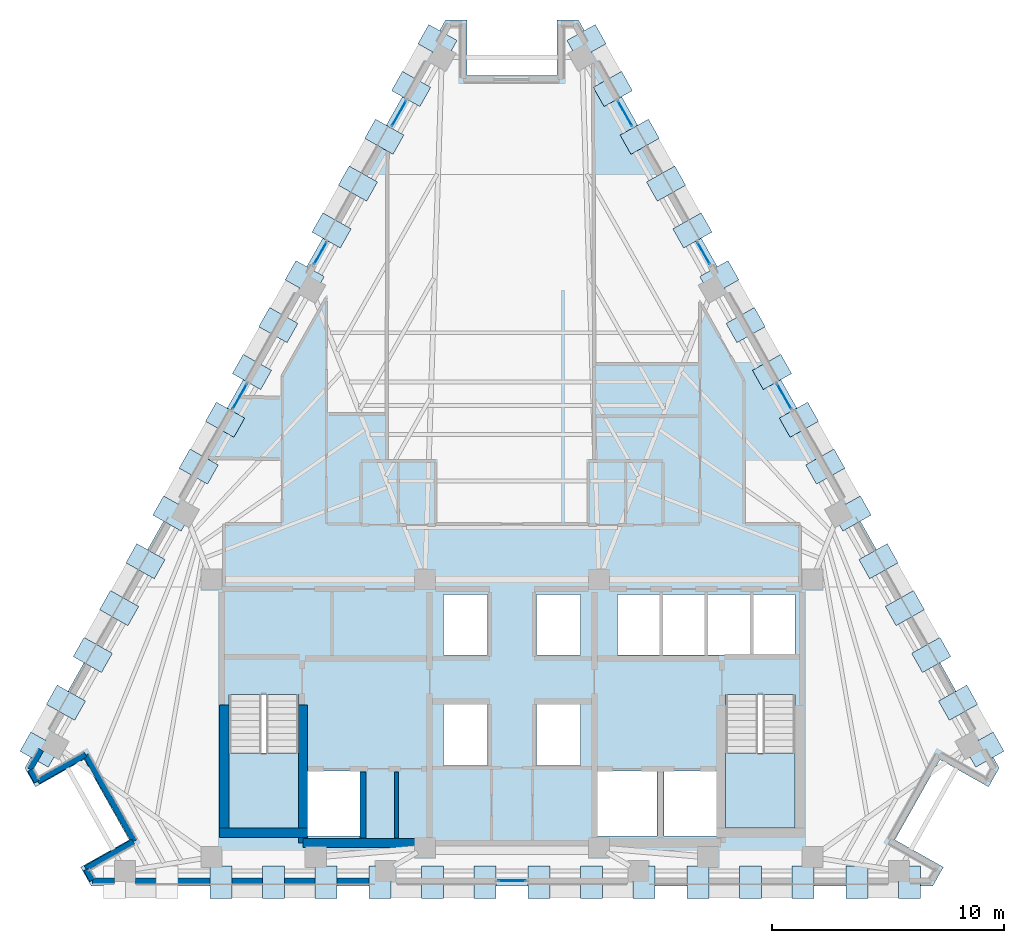
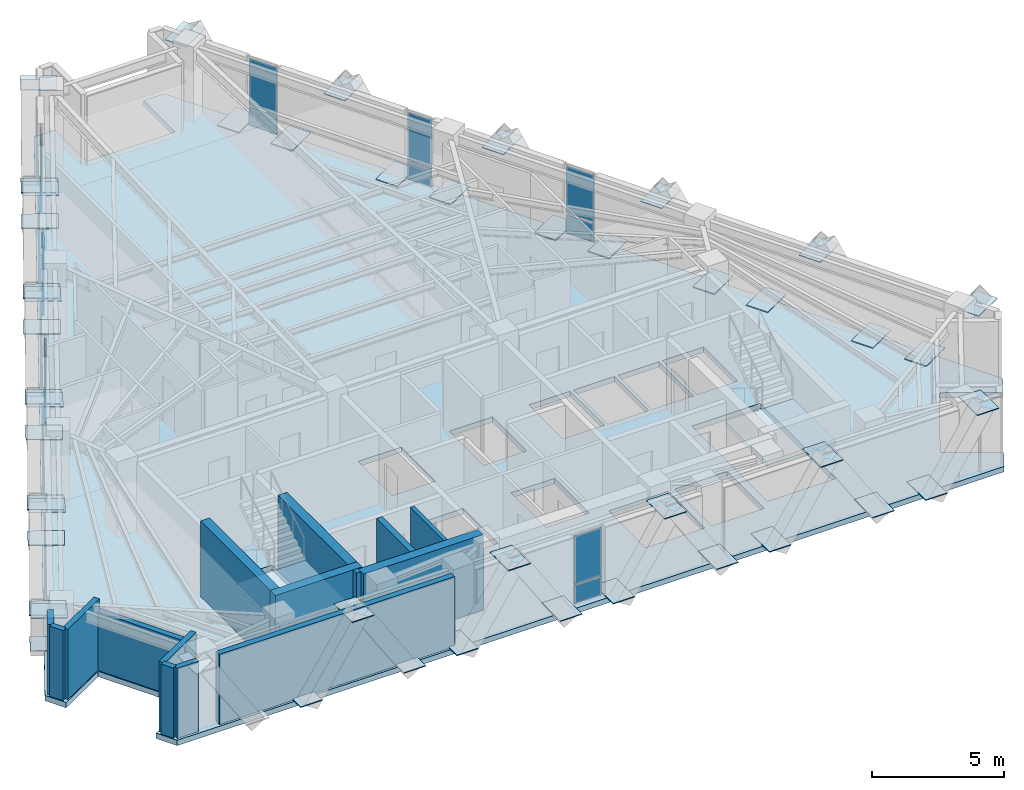
# One storey, part 6 of 12: 60 plates, 14 walls, 3 slabs, 9 elements without a shape of their own.
"""IFC4 building model written with IfcOpenShell, lengths in metres."""

from ifc_helpers import new_model, si_unit, direction, frame, frame_2d, origin, origin_2d, place, context, subcontext, project, spatial, polyline, rectangle, outline, extrude, material, layer, layer_set, type_object, element, aggregate, save


model = new_model("IFC4")

# Units and contexts
model_context = context("Model", 3, precision=1e-05, world=origin(), true_north=direction((0.0, 1.0)))
body_context = subcontext(model_context, "Body", "Model", "MODEL_VIEW")
ifc_project = project(units=[si_unit("LENGTHUNIT", "METRE"), si_unit("AREAUNIT", "SQUARE_METRE"), si_unit("VOLUMEUNIT", "CUBIC_METRE"), si_unit("PLANEANGLEUNIT", "RADIAN"), si_unit("MASSUNIT", "GRAM", prefix="KILO")], contexts=[model_context])

# Site, building, storey
site_placement = place(None, origin())
site = spatial("IfcSite", under=ifc_project, at=site_placement, CompositionType="ELEMENT")
building_placement = place(site_placement, origin())
building = spatial("IfcBuilding", under=site, at=building_placement, Name="Quenlor Broadcast Tower", CompositionType="ELEMENT")
storey_placement = place(building_placement, frame((0.0, 0.0, 186.89990234375)))
storey = spatial("IfcBuildingStorey", under=building, at=storey_placement, Name="L51", CompositionType="ELEMENT", Elevation=186.89990234375)

# Curtain wall, plates
ifc_material_1 = material(Name="Architectural Terracotta and Low-E Glazing", Category="masonry")
curtain_wall_type = type_object("IfcCurtainWallType", Name="Unitised Terracotta Curtain Wall System Z4", PredefinedType="NOTDEFINED", material=ifc_material_1)
curtain_wall_1_placement = place(storey_placement, origin())
curtain_wall_1 = element("IfcCurtainWall", 1, at=curtain_wall_1_placement, inside=storey, type_object=curtain_wall_type, Name="L51 Curtain Wall CW4 (L51-S-G1)", PredefinedType="NOTDEFINED")
ifc_material_2 = material(Name="Double Glazed Low-E Solar Glass", Category="glass")
ifc_layer_1 = layer(ifc_material_2, 0.028076171875)
ifc_layer_set_1 = layer_set([ifc_layer_1], Name="CW4 Double Glazed Vision Panel 28")
plate_type_1 = type_object("IfcPlateType", Name="CW4 Double Glazed Vision Panel 28", PredefinedType="CURTAIN_PANEL", material=ifc_layer_set_1)
plate_1_placement = place(storey_placement, frame((0.0, -17.77490234375, 0.068359375), z_axis=(0.0, 0.0, 1.0), x_axis=(-1.0, 0.0, 0.0)))
plate_1 = element("IfcPlate", 2, at=plate_1_placement, type_object=plate_type_1, Name="CW4 panel 1.1", PredefinedType="CURTAIN_PANEL", context=body_context, shape_type="SweptSolid", body=[
    extrude(rectangle(XDim=1.188720703125, YDim=0.028076171875, at=origin_2d()), origin(), (0.0, 0.0, 1.0), 0.847900390625),
])
plate_2_placement = place(storey_placement, frame((0.0, -17.77490234375, 0.98388671875), z_axis=(0.0, 0.0, 1.0), x_axis=(-1.0, 0.0, 0.0)))
plate_2 = element("IfcPlate", 3, at=plate_2_placement, type_object=plate_type_1, Name="CW4 panel 1.2", PredefinedType="CURTAIN_PANEL", context=body_context, shape_type="SweptSolid", body=[
    extrude(rectangle(XDim=1.188720703125, YDim=0.028076171875, at=origin_2d()), origin(), (0.0, 0.0, 1.0), 2.197998046875),
])
aggregate(curtain_wall_1, [plate_1, plate_2])

curtain_wall_2_placement = place(storey_placement, origin())
curtain_wall_2 = element("IfcCurtainWall", 4, at=curtain_wall_2_placement, inside=storey, type_object=curtain_wall_type, Name="L51 Curtain Wall CW4 (L51-NEA-G1)", PredefinedType="NOTDEFINED")
plate_3_placement = place(storey_placement, frame((4.87060546875, 15.281982421875, 0.068359375), z_axis=(0.0, 0.0, 1.0), x_axis=(0.490288844266, -0.871560008943, 0.0)))
plate_3 = element("IfcPlate", 5, at=plate_3_placement, type_object=plate_type_1, Name="CW4 panel 1.1", PredefinedType="CURTAIN_PANEL", context=body_context, shape_type="SweptSolid", body=[
    extrude(rectangle(XDim=1.239990234375, YDim=0.028076171875, at=origin_2d()), origin(), (0.0, 0.0, 1.0), 0.847900390625),
])
plate_4_placement = place(storey_placement, frame((4.87060546875, 15.281982421875, 0.98388671875), z_axis=(0.0, 0.0, 1.0), x_axis=(0.490288844266, -0.871560008943, 0.0)))
plate_4 = element("IfcPlate", 6, at=plate_4_placement, type_object=plate_type_1, Name="CW4 panel 1.2", PredefinedType="CURTAIN_PANEL", context=body_context, shape_type="SweptSolid", body=[
    extrude(rectangle(XDim=1.239990234375, YDim=0.028076171875, at=origin_2d()), origin(), (0.0, 0.0, 1.0), 2.197998046875),
])
aggregate(curtain_wall_2, [plate_3, plate_4])

curtain_wall_3_placement = place(storey_placement, origin())
curtain_wall_3 = element("IfcCurtainWall", 7, at=curtain_wall_3_placement, inside=storey, type_object=curtain_wall_type, Name="L51 Curtain Wall CW4 (L51-NEA-G2)", PredefinedType="NOTDEFINED")
plate_5_placement = place(storey_placement, frame((8.257080078125, 9.26171875, 0.068359375), z_axis=(0.0, 0.0, 1.0), x_axis=(0.490292850918, -0.871557755022, 0.0)))
plate_5 = element("IfcPlate", 8, at=plate_5_placement, type_object=plate_type_1, Name="CW4 panel 1.1", PredefinedType="CURTAIN_PANEL", context=body_context, shape_type="SweptSolid", body=[
    extrude(rectangle(XDim=1.0654296875, YDim=0.028076171875, at=origin_2d()), origin(), (0.0, 0.0, 1.0), 0.847900390625),
])
plate_6_placement = place(storey_placement, frame((8.257080078125, 9.26171875, 0.98388671875), z_axis=(0.0, 0.0, 1.0), x_axis=(0.490292850918, -0.871557755022, 0.0)))
plate_6 = element("IfcPlate", 9, at=plate_6_placement, type_object=plate_type_1, Name="CW4 panel 1.2", PredefinedType="CURTAIN_PANEL", context=body_context, shape_type="SweptSolid", body=[
    extrude(rectangle(XDim=1.0654296875, YDim=0.028076171875, at=origin_2d()), origin(), (0.0, 0.0, 1.0), 2.197998046875),
])
aggregate(curtain_wall_3, [plate_5, plate_6])

curtain_wall_4_placement = place(storey_placement, origin())
curtain_wall_4 = element("IfcCurtainWall", 10, at=curtain_wall_4_placement, inside=storey, type_object=curtain_wall_type, Name="L51 Curtain Wall CW4 (L51-NE-G1)", PredefinedType="NOTDEFINED")
plate_7_placement = place(storey_placement, frame((11.72900390625, 3.089599609375, 0.068359375), z_axis=(0.0, 0.0, 1.0), x_axis=(0.490288844266, -0.871560008943, 0.0)))
plate_7 = element("IfcPlate", 11, at=plate_7_placement, type_object=plate_type_1, Name="CW4 panel 1.1", PredefinedType="CURTAIN_PANEL", context=body_context, shape_type="SweptSolid", body=[
    extrude(rectangle(XDim=1.239990234375, YDim=0.028076171875, at=origin_2d()), origin(), (0.0, 0.0, 1.0), 0.847900390625),
])
plate_8_placement = place(storey_placement, frame((11.72900390625, 3.089599609375, 0.98388671875), z_axis=(0.0, 0.0, 1.0), x_axis=(0.490288844266, -0.871560008943, 0.0)))
plate_8 = element("IfcPlate", 12, at=plate_8_placement, type_object=plate_type_1, Name="CW4 panel 1.2", PredefinedType="CURTAIN_PANEL", context=body_context, shape_type="SweptSolid", body=[
    extrude(rectangle(XDim=1.239990234375, YDim=0.028076171875, at=origin_2d()), origin(), (0.0, 0.0, 1.0), 2.197998046875),
])
aggregate(curtain_wall_4, [plate_7, plate_8])

curtain_wall_5_placement = place(storey_placement, origin())
curtain_wall_5 = element("IfcCurtainWall", 13, at=curtain_wall_5_placement, inside=storey, type_object=curtain_wall_type, Name="L51 Curtain Wall CW4 (L51-NWC-G1)", PredefinedType="NOTDEFINED")
plate_9_placement = place(storey_placement, frame((-8.257080078125, 9.26171875, 0.068359375), z_axis=(0.0, 0.0, 1.0), x_axis=(0.490292850918, 0.871557755022, 0.0)))
plate_9 = element("IfcPlate", 14, at=plate_9_placement, type_object=plate_type_1, Name="CW4 panel 1.1", PredefinedType="CURTAIN_PANEL", context=body_context, shape_type="SweptSolid", body=[
    extrude(rectangle(XDim=1.0654296875, YDim=0.028076171875, at=origin_2d()), origin(), (0.0, 0.0, 1.0), 0.847900390625),
])
plate_10_placement = place(storey_placement, frame((-8.257080078125, 9.26171875, 0.98388671875), z_axis=(0.0, 0.0, 1.0), x_axis=(0.490292850918, 0.871557755022, 0.0)))
plate_10 = element("IfcPlate", 15, at=plate_10_placement, type_object=plate_type_1, Name="CW4 panel 1.2", PredefinedType="CURTAIN_PANEL", context=body_context, shape_type="SweptSolid", body=[
    extrude(rectangle(XDim=1.0654296875, YDim=0.028076171875, at=origin_2d()), origin(), (0.0, 0.0, 1.0), 2.197998046875),
])
aggregate(curtain_wall_5, [plate_9, plate_10])

curtain_wall_6_placement = place(storey_placement, origin())
curtain_wall_6 = element("IfcCurtainWall", 16, at=curtain_wall_6_placement, inside=storey, type_object=curtain_wall_type, Name="L51 Curtain Wall CW4 (L51-NWC-G2)", PredefinedType="NOTDEFINED")
plate_11_placement = place(storey_placement, frame((-4.87060546875, 15.281982421875, 0.068359375), z_axis=(0.0, 0.0, 1.0), x_axis=(0.490288844266, 0.871560008943, 0.0)))
plate_11 = element("IfcPlate", 17, at=plate_11_placement, type_object=plate_type_1, Name="CW4 panel 1.1", PredefinedType="CURTAIN_PANEL", context=body_context, shape_type="SweptSolid", body=[
    extrude(rectangle(XDim=1.239990234375, YDim=0.028076171875, at=origin_2d()), origin(), (0.0, 0.0, 1.0), 0.847900390625),
])
plate_12_placement = place(storey_placement, frame((-4.87060546875, 15.281982421875, 0.98388671875), z_axis=(0.0, 0.0, 1.0), x_axis=(0.490288844266, 0.871560008943, 0.0)))
plate_12 = element("IfcPlate", 18, at=plate_12_placement, type_object=plate_type_1, Name="CW4 panel 1.2", PredefinedType="CURTAIN_PANEL", context=body_context, shape_type="SweptSolid", body=[
    extrude(rectangle(XDim=1.239990234375, YDim=0.028076171875, at=origin_2d()), origin(), (0.0, 0.0, 1.0), 2.197998046875),
])
aggregate(curtain_wall_6, [plate_11, plate_12])

curtain_wall_7_placement = place(storey_placement, origin())
curtain_wall_7 = element("IfcCurtainWall", 19, at=curtain_wall_7_placement, inside=storey, type_object=curtain_wall_type, Name="L51 Curtain Wall CW4 (L51-NW-G1)", PredefinedType="NOTDEFINED")
plate_13_placement = place(storey_placement, frame((-11.72900390625, 3.089599609375, 0.068359375), z_axis=(0.0, 0.0, 1.0), x_axis=(0.490288844266, 0.871560008943, 0.0)))
plate_13 = element("IfcPlate", 20, at=plate_13_placement, type_object=plate_type_1, Name="CW4 panel 1.1", PredefinedType="CURTAIN_PANEL", context=body_context, shape_type="SweptSolid", body=[
    extrude(rectangle(XDim=1.239990234375, YDim=0.028076171875, at=origin_2d()), origin(), (0.0, 0.0, 1.0), 0.847900390625),
])
plate_14_placement = place(storey_placement, frame((-11.72900390625, 3.089599609375, 0.98388671875), z_axis=(0.0, 0.0, 1.0), x_axis=(0.490288844266, 0.871560008943, 0.0)))
plate_14 = element("IfcPlate", 21, at=plate_14_placement, type_object=plate_type_1, Name="CW4 panel 1.2", PredefinedType="CURTAIN_PANEL", context=body_context, shape_type="SweptSolid", body=[
    extrude(rectangle(XDim=1.239990234375, YDim=0.028076171875, at=origin_2d()), origin(), (0.0, 0.0, 1.0), 2.197998046875),
])
aggregate(curtain_wall_7, [plate_13, plate_14])

# Stair, slab
ifc_material_3 = material(Name="Precast concrete C40/50", Category="concrete")
stair_type = type_object("IfcStairType", Name="Precast Concrete C40/50 Dogleg Stair H350", PredefinedType="HALF_TURN_STAIR", material=ifc_material_3)
stair_1_placement = place(storey_placement, origin())
stair_1 = element("IfcStair", 22, at=stair_1_placement, inside=storey, type_object=stair_type, Name="L51 West Core Fire-Isolated Exit Stair ST-1", PredefinedType="HALF_TURN_STAIR")
ifc_material_4 = material(Name="Precast concrete C40/50", Category="concrete")
ifc_layer_2 = layer(ifc_material_4, 0.199951171875)
ifc_layer_set_2 = layer_set([ifc_layer_2], Name="Precast Concrete C40/50 Stair Landing Slab 200")
slab_type_1 = type_object("IfcSlabType", Name="Precast Concrete C40/50 Stair Landing Slab 200", PredefinedType="LANDING", material=ifc_layer_set_2)
slab_1_placement = place(storey_placement, frame((0.0, 0.0, 1.550048828125)))
slab_1 = element("IfcSlab", 23, at=slab_1_placement, type_object=slab_type_1, Name="ST-1 landing 1", PredefinedType="LANDING", context=body_context, shape_type="SweptSolid", body=[
    extrude(outline(polyline([(-12.199951171875, -12.27001953125), (-12.199951171875, -15.5), (-9.199951171875, -15.5), (-9.199951171875, -12.27001953125), (-12.199951171875, -12.27001953125)])), origin(), (0.0, 0.0, 1.0), 0.199951171875),
])
aggregate(stair_1, [slab_1])

stair_2_placement = place(storey_placement, origin())
stair_2 = element("IfcStair", 24, at=stair_2_placement, inside=storey, type_object=stair_type, Name="L51 East Core Fire-Isolated Exit Stair ST-2", PredefinedType="HALF_TURN_STAIR")
slab_2_placement = place(storey_placement, frame((0.0, 0.0, 1.550048828125)))
slab_2 = element("IfcSlab", 25, at=slab_2_placement, type_object=slab_type_1, Name="ST-2 landing 1", PredefinedType="LANDING", context=body_context, shape_type="SweptSolid", body=[
    extrude(outline(polyline([(9.199951171875, -12.27001953125), (9.199951171875, -15.5), (12.199951171875, -15.5), (12.199951171875, -12.27001953125), (9.199951171875, -12.27001953125)])), origin(), (0.0, 0.0, 1.0), 0.199951171875),
])
aggregate(stair_2, [slab_2])

# Slab
ifc_material_5 = material(Name="Concrete C40/50", Category="concrete")
ifc_layer_3 = layer(ifc_material_5, 0.25)
ifc_layer_set_3 = layer_set([ifc_layer_3], Name="Tower Composite Concrete C40/50 Slab 250")
slab_type_2 = type_object("IfcSlabType", Name="Tower Composite Concrete C40/50 Slab 250", PredefinedType="FLOOR", material=ifc_layer_set_3)
slab_3_placement = place(storey_placement, frame((0.0, 0.0, -0.25)))
element("IfcSlab", 26, at=slab_3_placement, inside=storey, type_object=slab_type_2, Name="L51 Structural Floor Slab", PredefinedType="FLOOR", context=body_context, shape_type="SweptSolid", body=[
    extrude(outline(polyline([(18.1259765625, -18.0), (18.583984375, -17.185791015625), (16.4921875, -16.00927734375), (18.438232421875, -12.549560546875), (20.530029296875, -13.72607421875), (20.988037109375, -12.912109375), (2.862060546875, 19.31201171875), (1.9462890625, 19.31201171875), (1.9462890625, 16.912109375), (-1.9462890625, 16.912109375), (-1.9462890625, 19.31201171875), (-2.862060546875, 19.31201171875), (-20.988037109375, -12.912109375), (-20.530029296875, -13.72607421875), (-18.438232421875, -12.549560546875), (-16.4921875, -16.00927734375), (-18.583984375, -17.185791015625), (-18.1259765625, -18.0), (18.1259765625, -18.0)]), holes=[polyline([(-12.199951171875, -9.758056640625), (-12.199951171875, -15.5), (-9.199951171875, -15.5), (-9.199951171875, -9.758056640625), (-12.199951171875, -9.758056640625)]), polyline([(9.199951171875, -9.758056640625), (9.199951171875, -15.5), (12.199951171875, -15.5), (12.199951171875, -9.758056640625), (9.199951171875, -9.758056640625)]), polyline([(-2.949951171875, -8.050048828125), (-1.050048828125, -8.050048828125), (-1.050048828125, -5.449951171875), (-2.949951171875, -5.449951171875), (-2.949951171875, -8.050048828125)]), polyline([(1.050048828125, -8.050048828125), (2.949951171875, -8.050048828125), (2.949951171875, -5.449951171875), (1.050048828125, -5.449951171875), (1.050048828125, -8.050048828125)]), polyline([(-2.949951171875, -12.800048828125), (-1.050048828125, -12.800048828125), (-1.050048828125, -10.14990234375), (-2.949951171875, -10.14990234375), (-2.949951171875, -12.800048828125)]), polyline([(1.050048828125, -12.800048828125), (2.949951171875, -12.800048828125), (2.949951171875, -10.14990234375), (1.050048828125, -10.14990234375), (1.050048828125, -12.800048828125)]), polyline([(4.550048828125, -8.050048828125), (6.35009765625, -8.050048828125), (6.35009765625, -5.449951171875), (4.550048828125, -5.449951171875), (4.550048828125, -8.050048828125)]), polyline([(6.5, -8.050048828125), (8.300048828125, -8.050048828125), (8.300048828125, -5.449951171875), (6.5, -5.449951171875), (6.5, -8.050048828125)]), polyline([(8.449951171875, -8.050048828125), (10.25, -8.050048828125), (10.25, -5.449951171875), (8.449951171875, -5.449951171875), (8.449951171875, -8.050048828125)]), polyline([(10.39990234375, -8.050048828125), (12.199951171875, -8.050048828125), (12.199951171875, -5.449951171875), (10.39990234375, -5.449951171875), (10.39990234375, -8.050048828125)]), polyline([(-8.85009765625, -15.85009765625), (-6.550048828125, -15.85009765625), (-6.550048828125, -13.050048828125), (-8.85009765625, -13.050048828125), (-8.85009765625, -15.85009765625)]), polyline([(6.550048828125, -15.85009765625), (8.85009765625, -15.85009765625), (8.85009765625, -13.050048828125), (6.550048828125, -13.050048828125), (6.550048828125, -15.85009765625)]), polyline([(3.64990234375, -15.85009765625), (6.25, -15.85009765625), (6.25, -13.050048828125), (3.64990234375, -13.050048828125), (3.64990234375, -15.85009765625)])]), origin(), (0.0, 0.0, 1.0), 0.25),
])

# Plates
ifc_material_6 = material(Name="Steel S355", Category="steel")
ifc_layer_4 = layer(ifc_material_6, 0.035888671875)
ifc_layer_set_4 = layer_set([ifc_layer_4], Name="Transfer Truss Steel S355 Gusset Node Plate 1400x950x36")
plate_type_2 = type_object("IfcPlateType", Name="Transfer Truss Steel S355 Gusset Node Plate 1400x950x36", PredefinedType="SHEET", material=ifc_layer_set_4)
for number, where, z_axis, x_axis, name in (
    (27, (12.54541015625, -17.8349609375, 0.0419921875), (0.0, 0.0, 1.0), (0.0, -1.0, 0.0), "L51 Lattice Tie Gusset Node S-B2"),
    (28, (10.275634765625, -17.8349609375, 3.18212890625), (0.0, 0.0, 1.0), (0.0, -1.0, 0.0), "L51 Lattice Tie Gusset Node S-T3"),
    (29, (14.856201171875, -17.8349609375, 0.0419921875), (0.0, 0.0, 1.0), (0.0, -1.0, 0.0), "L51 Lattice Tie Gusset Node S-B1"),
    (30, (17.1259765625, -17.8349609375, 3.18212890625), (0.0, 0.0, 1.0), (0.0, -1.0, 0.0), "L51 Lattice Tie Gusset Node S-T0"),
    (31, (5.695068359375, -17.8349609375, 0.0419921875), (0.0, 0.0, 1.0), (0.0, -1.0, 0.0), "L51 Lattice Tie Gusset Node S-B5"),
    (32, (3.42529296875, -17.8349609375, 3.18212890625), (0.0, 0.0, 1.0), (0.0, -1.0, 0.0), "L51 Lattice Tie Gusset Node S-T6"),
    (33, (8.005859375, -17.8349609375, 0.0419921875), (0.0, 0.0, 1.0), (0.0, -1.0, 0.0), "L51 Lattice Tie Gusset Node S-B4"),
    (34, (-1.155517578125, -17.8349609375, 0.0419921875), (0.0, 0.0, 1.0), (0.0, -1.0, 0.0), "L51 Lattice Tie Gusset Node S-B8"),
    (35, (-3.42529296875, -17.8349609375, 3.18212890625), (0.0, 0.0, 1.0), (0.0, -1.0, 0.0), "L51 Lattice Tie Gusset Node S-T9"),
    (36, (1.155517578125, -17.8349609375, 0.0419921875), (0.0, 0.0, 1.0), (0.0, -1.0, 0.0), "L51 Lattice Tie Gusset Node S-B7"),
    (37, (-8.005859375, -17.8349609375, 0.0419921875), (0.0, 0.0, 1.0), (0.0, -1.0, 0.0), "L51 Lattice Tie Gusset Node S-B11"),
    (38, (-10.275634765625, -17.8349609375, 3.18212890625), (0.0, 0.0, 1.0), (0.0, -1.0, 0.0), "L51 Lattice Tie Gusset Node S-T12"),
    (39, (-5.695068359375, -17.8349609375, 0.0419921875), (0.0, 0.0, 1.0), (0.0, -1.0, 0.0), "L51 Lattice Tie Gusset Node S-B10"),
    (40, (-12.54541015625, -17.8349609375, 0.0419921875), (0.0, 0.0, 1.0), (0.0, -1.0, 0.0), "L51 Lattice Tie Gusset Node S-B13"),
    (41, (5.50146484375, 14.283203125, 0.0419921875), (0.0, 0.0, 1.0), (0.871556314255, 0.490295412055, 0.0), "L51 Lattice Tie Gusset Node NE-B2"),
    (42, (6.6376953125, 12.263427734375, 3.18212890625), (0.0, 0.0, 1.0), (0.871556314255, 0.490295412055, 0.0), "L51 Lattice Tie Gusset Node NE-T3"),
    (43, (4.344482421875, 16.339599609375, 0.0419921875), (0.0, 0.0, 1.0), (0.871556314255, 0.490295412055, 0.0), "L51 Lattice Tie Gusset Node NE-B1"),
    (44, (3.20849609375, 18.359619140625, 3.18212890625), (0.0, 0.0, 1.0), (0.871556314255, 0.490295412055, 0.0), "L51 Lattice Tie Gusset Node NE-T0"),
    (45, (8.930419921875, 8.18701171875, 0.0419921875), (0.0, 0.0, 1.0), (0.871556314255, 0.490295412055, 0.0), "L51 Lattice Tie Gusset Node NE-B5"),
    (46, (10.066650390625, 6.167236328125, 3.18212890625), (0.0, 0.0, 1.0), (0.871556314255, 0.490295412055, 0.0), "L51 Lattice Tie Gusset Node NE-T6"),
    (47, (7.773681640625, 10.243408203125, 0.0419921875), (0.0, 0.0, 1.0), (0.871556314255, 0.490295412055, 0.0), "L51 Lattice Tie Gusset Node NE-B4"),
    (48, (12.359619140625, 2.0908203125, 0.0419921875), (0.0, 0.0, 1.0), (0.871556314255, 0.490295412055, 0.0), "L51 Lattice Tie Gusset Node NE-B8"),
    (49, (13.49560546875, 0.071044921875, 3.18212890625), (0.0, 0.0, 1.0), (0.871556314255, 0.490295412055, 0.0), "L51 Lattice Tie Gusset Node NE-T9"),
    (50, (11.202880859375, 4.147216796875, 0.0419921875), (0.0, 0.0, 1.0), (0.871556314255, 0.490295412055, 0.0), "L51 Lattice Tie Gusset Node NE-B7"),
    (51, (15.788818359375, -4.00537109375, 0.0419921875), (0.0, 0.0, 1.0), (0.871556314255, 0.490295412055, 0.0), "L51 Lattice Tie Gusset Node NE-B11"),
    (52, (16.9248046875, -6.025146484375, 3.18212890625), (0.0, 0.0, 1.0), (0.871556314255, 0.490295412055, 0.0), "L51 Lattice Tie Gusset Node NE-T12"),
    (53, (14.6318359375, -1.94873046875, 0.0419921875), (0.0, 0.0, 1.0), (0.871556314255, 0.490295412055, 0.0), "L51 Lattice Tie Gusset Node NE-B10"),
    (54, (19.2177734375, -10.101318359375, 0.0419921875), (0.0, 0.0, 1.0), (0.871556314255, 0.490295412055, 0.0), "L51 Lattice Tie Gusset Node NE-B14"),
    (55, (20.35400390625, -12.121337890625, 3.18212890625), (0.0, 0.0, 1.0), (0.871556314255, 0.490295412055, 0.0), "L51 Lattice Tie Gusset Node NE-T15"),
    (56, (18.06103515625, -8.044921875, 0.0419921875), (0.0, 0.0, 1.0), (0.871556314255, 0.490295412055, 0.0), "L51 Lattice Tie Gusset Node NE-B13"),
    (57, (-18.06103515625, -8.044921875, 0.0419921875), (0.0, 0.0, 1.0), (-0.871556314255, 0.490295412055, 0.0), "L51 Lattice Tie Gusset Node NW-B2"),
    (58, (-16.9248046875, -6.025146484375, 3.18212890625), (0.0, 0.0, 1.0), (-0.871556314255, 0.490295412055, 0.0), "L51 Lattice Tie Gusset Node NW-T3"),
    (59, (-19.2177734375, -10.101318359375, 0.0419921875), (0.0, 0.0, 1.0), (-0.871556314255, 0.490295412055, 0.0), "L51 Lattice Tie Gusset Node NW-B1"),
    (60, (-20.35400390625, -12.121337890625, 3.18212890625), (0.0, 0.0, 1.0), (-0.871556314255, 0.490295412055, 0.0), "L51 Lattice Tie Gusset Node NW-T0"),
    (61, (-14.6318359375, -1.94873046875, 0.0419921875), (0.0, 0.0, 1.0), (-0.871556314255, 0.490295412055, 0.0), "L51 Lattice Tie Gusset Node NW-B5"),
    (62, (-13.49560546875, 0.071044921875, 3.18212890625), (0.0, 0.0, 1.0), (-0.871556314255, 0.490295412055, 0.0), "L51 Lattice Tie Gusset Node NW-T6"),
    (63, (-15.788818359375, -4.00537109375, 0.0419921875), (0.0, 0.0, 1.0), (-0.871556314255, 0.490295412055, 0.0), "L51 Lattice Tie Gusset Node NW-B4"),
    (64, (-11.202880859375, 4.147216796875, 0.0419921875), (0.0, 0.0, 1.0), (-0.871556314255, 0.490295412055, 0.0), "L51 Lattice Tie Gusset Node NW-B8"),
    (65, (-10.066650390625, 6.167236328125, 3.18212890625), (0.0, 0.0, 1.0), (-0.871556314255, 0.490295412055, 0.0), "L51 Lattice Tie Gusset Node NW-T9"),
    (66, (-12.359619140625, 2.0908203125, 0.0419921875), (0.0, 0.0, 1.0), (-0.871556314255, 0.490295412055, 0.0), "L51 Lattice Tie Gusset Node NW-B7"),
    (67, (-7.773681640625, 10.243408203125, 0.0419921875), (0.0, 0.0, 1.0), (-0.871556314255, 0.490295412055, 0.0), "L51 Lattice Tie Gusset Node NW-B11"),
    (68, (-6.6376953125, 12.263427734375, 3.18212890625), (0.0, 0.0, 1.0), (-0.871556314255, 0.490295412055, 0.0), "L51 Lattice Tie Gusset Node NW-T12"),
    (69, (-8.930419921875, 8.18701171875, 0.0419921875), (0.0, 0.0, 1.0), (-0.871556314255, 0.490295412055, 0.0), "L51 Lattice Tie Gusset Node NW-B10"),
    (70, (-4.344482421875, 16.339599609375, 0.0419921875), (0.0, 0.0, 1.0), (-0.871556314255, 0.490295412055, 0.0), "L51 Lattice Tie Gusset Node NW-B14"),
    (71, (-3.20849609375, 18.359619140625, 3.18212890625), (0.0, 0.0, 1.0), (-0.871556314255, 0.490295412055, 0.0), "L51 Lattice Tie Gusset Node NW-T15"),
    (72, (-5.50146484375, 14.283203125, 0.0419921875), (0.0, 0.0, 1.0), (-0.871556314255, 0.490295412055, 0.0), "L51 Lattice Tie Gusset Node NW-B13"),
):
    element("IfcPlate", number, at=place(storey_placement, frame(where, z_axis=z_axis, x_axis=x_axis)), inside=storey, type_object=plate_type_2, Name=name, PredefinedType="SHEET", context=body_context, shape_type="SweptSolid", body=[
        extrude(rectangle(XDim=1.39990234375, YDim=0.949951171875, at=origin_2d()), origin(), (0.0, 0.0, 1.0), 0.035888671875),
    ])

# Walls
ifc_material_7 = material(Name="Concrete C50/60", Category="concrete")
ifc_layer_5 = layer(ifc_material_7, 0.39990234375)
ifc_layer_set_5 = layer_set([ifc_layer_5], Name="Core Concrete C50/60 Shear Wall 400")
wall_type_1 = type_object("IfcWallType", Name="Core Concrete C50/60 Shear Wall 400", PredefinedType="SHEAR", material=ifc_layer_set_5)
wall_1_placement = place(storey_placement, frame((-12.60009765625, -15.699951171875, 0.0), z_axis=(0.0, 0.0, 1.0), x_axis=(1.0, 0.0, 0.0)))
element("IfcWall", 73, at=wall_1_placement, inside=storey, type_object=wall_type_1, Name="L51 Core Shear Wall WS-W1", PredefinedType="SHEAR", context=body_context, shape_type="SweptSolid", body=[
    extrude(rectangle(XDim=3.800048828125, YDim=0.39990234375, at=frame_2d((1.89990234375, 0.0))), origin(), (0.0, 0.0, 1.0), 3.5),
])
wall_2_placement = place(storey_placement, frame((-9.0, -16.14990234375, 0.0), z_axis=(0.0, 0.0, 1.0), x_axis=(1.0, 0.0, 0.0)))
element("IfcWall", 74, at=wall_2_placement, inside=storey, type_object=wall_type_1, Name="L51 Core Shear Wall WS-W2", PredefinedType="SHEAR", context=body_context, shape_type="SweptSolid", body=[
    extrude(rectangle(XDim=5.25, YDim=0.39990234375, at=frame_2d((2.625, 0.0))), origin(), (0.0, 0.0, 1.0), 3.5),
])
wall_3_placement = place(storey_placement, frame((-12.39990234375, -15.699951171875, 0.0), z_axis=(0.0, 0.0, 1.0), x_axis=(0.0, 1.0, 0.0)))
element("IfcWall", 75, at=wall_3_placement, inside=storey, type_object=wall_type_1, Name="L51 Core Shear Wall WF-W", PredefinedType="SHEAR", context=body_context, shape_type="SweptSolid", body=[
    extrude(rectangle(XDim=5.5, YDim=0.39990234375, at=frame_2d((2.75, 0.0))), origin(), (0.0, 0.0, 1.0), 3.5),
])
wall_4_placement = place(storey_placement, frame((-9.0, -16.14990234375, 0.0), z_axis=(0.0, 0.0, 1.0), x_axis=(0.0, 1.0, 0.0)))
element("IfcWall", 76, at=wall_4_placement, inside=storey, type_object=wall_type_1, Name="L51 Core Shear Wall WI-W", PredefinedType="SHEAR", context=body_context, shape_type="SweptSolid", body=[
    extrude(rectangle(XDim=5.949951171875, YDim=0.39990234375, at=frame_2d((2.97509765625, 0.0))), origin(), (0.0, 0.0, 1.0), 3.5),
])
ifc_material_8 = material(Name="Concrete C40/50", Category="concrete")
ifc_layer_6 = layer(ifc_material_8, 0.25)
ifc_layer_set_6 = layer_set([ifc_layer_6], Name="Fire Rated Concrete C40/50 Core Wall 250")
wall_type_2 = type_object("IfcWallType", Name="Fire Rated Concrete C40/50 Core Wall 250", PredefinedType="PARTITIONING", material=ifc_layer_set_6)
wall_5_placement = place(storey_placement, frame((-6.419921875, -15.919921875, 0.0), z_axis=(0.0, 0.0, 1.0), x_axis=(0.0, 1.0, 0.0)))
element("IfcWall", 77, at=wall_5_placement, inside=storey, type_object=wall_type_2, Name="L51 Interior Wall CW-FF1-E", PredefinedType="PARTITIONING", context=body_context, shape_type="SweptSolid", body=[
    extrude(rectangle(XDim=2.829833984375, YDim=0.25, at=frame_2d((1.4150390625, 0.0))), origin(), (0.0, 0.0, 1.0), 3.25),
])
ifc_material_9 = material(Name="Gypsum Fireboard Partition", Category="other")
ifc_layer_7 = layer(ifc_material_9, 0.159912109375)
ifc_layer_set_7 = layer_set([ifc_layer_7], Name="Fire Rated Shaft and Corridor Partition 160")
wall_type_3 = type_object("IfcWallType", Name="Fire Rated Shaft and Corridor Partition 160", PredefinedType="PARTITIONING", material=ifc_layer_set_7)
wall_6_placement = place(storey_placement, frame((-4.97998046875, -15.919921875, 0.0), z_axis=(0.0, 0.0, 1.0), x_axis=(0.0, 1.0, 0.0)))
element("IfcWall", 78, at=wall_6_placement, inside=storey, type_object=wall_type_3, Name="L51 Interior Wall CW-ELR-E", PredefinedType="PARTITIONING", context=body_context, shape_type="SweptSolid", body=[
    extrude(rectangle(XDim=2.829833984375, YDim=0.159912109375, at=frame_2d((1.4150390625, 0.0))), origin(), (0.0, 0.0, 1.0), 3.25),
])
ifc_material_10 = material(Name="Precast concrete C40/50", Category="concrete")
ifc_layer_8 = layer(ifc_material_10, 0.239990234375)
ifc_layer_set_8 = layer_set([ifc_layer_8], Name="Terrace Threshold Precast Concrete C40/50 Wall 240")
wall_type_4 = type_object("IfcWallType", Name="Terrace Threshold Precast Concrete C40/50 Wall 240", PredefinedType="STANDARD", material=ifc_layer_set_8)
wall_7_placement = place(storey_placement, frame((-17.130859375, -17.77490234375, 0.0), z_axis=(0.0, 0.0, 1.0), x_axis=(-1.0, 0.0, 0.0)))
element("IfcWall", 79, at=wall_7_placement, inside=storey, type_object=wall_type_4, Name="L51 Exterior Wall L51-SHD-SS1", PredefinedType="STANDARD", context=body_context, shape_type="SweptSolid", body=[
    extrude(rectangle(XDim=0.93505859375, YDim=0.239990234375, at=frame_2d((0.467529296875, 0.0))), origin(), (0.0, 0.0, 1.0), 3.25),
])
wall_8_placement = place(storey_placement, frame((-20.762451171875, -12.969970703125, 0.0), z_axis=(0.0, 0.0, 1.0), x_axis=(0.490345412687, 0.87152818443, 0.0)))
element("IfcWall", 80, at=wall_8_placement, inside=storey, type_object=wall_type_4, Name="L51 Exterior Wall L51-SHD-NWS0", PredefinedType="STANDARD", context=body_context, shape_type="SweptSolid", body=[
    extrude(rectangle(XDim=0.9638671875, YDim=0.239990234375, at=frame_2d((0.48193359375, 0.0))), origin(), (0.0, 0.0, 1.0), 3.25),
])
wall_9_placement = place(storey_placement, frame((-20.75537109375, -12.999267578125, 0.0), z_axis=(0.0, 0.0, 1.0), x_axis=(0.490320776404, -0.871542045014, 0.0)))
element("IfcWall", 81, at=wall_9_placement, inside=storey, type_object=wall_type_4, Name="L51 Exterior Wall L51-CNR-12", PredefinedType="STANDARD", context=body_context, shape_type="SweptSolid", body=[
    extrude(rectangle(XDim=0.583984375, YDim=0.239990234375, at=frame_2d((0.2919921875, 0.0))), origin(), (0.0, 0.0, 1.0), 3.25),
])
wall_10_placement = place(storey_placement, frame((-20.43408203125, -13.488525390625, 0.0), z_axis=(0.0, 0.0, 1.0), x_axis=(0.871578299909, 0.490256327984, 0.0)))
element("IfcWall", 82, at=wall_10_placement, inside=storey, type_object=wall_type_4, Name="L51 Exterior Wall L51-CNR-13", PredefinedType="STANDARD", context=body_context, shape_type="SweptSolid", body=[
    extrude(rectangle(XDim=2.35986328125, YDim=0.239990234375, at=frame_2d((1.179931640625, 0.0))), origin(), (0.0, 0.0, 1.0), 3.25),
])
wall_11_placement = place(storey_placement, frame((-18.357666015625, -12.366455078125, 0.0), z_axis=(0.0, 0.0, 1.0), x_axis=(0.49027487746, -0.871567865706, 0.0)))
element("IfcWall", 83, at=wall_11_placement, inside=storey, type_object=wall_type_4, Name="L51 Exterior Wall L51-CNR-14", PredefinedType="STANDARD", context=body_context, shape_type="SweptSolid", body=[
    extrude(rectangle(XDim=4.249755859375, YDim=0.239990234375, at=frame_2d((2.125, 0.0))), origin(), (0.0, 0.0, 1.0), 2.721923828125),
])
wall_12_placement = place(storey_placement, frame((-16.30908203125, -16.08984375, 0.0), z_axis=(0.0, 0.0, 1.0), x_axis=(-0.871578299909, -0.490256327984, 0.0)))
element("IfcWall", 84, at=wall_12_placement, inside=storey, type_object=wall_type_4, Name="L51 Exterior Wall L51-CNR-15", PredefinedType="STANDARD", context=body_context, shape_type="SweptSolid", body=[
    extrude(rectangle(XDim=2.35986328125, YDim=0.239990234375, at=frame_2d((1.179931640625, 0.0))), origin(), (0.0, 0.0, 1.0), 3.25),
])
wall_13_placement = place(storey_placement, frame((-18.346435546875, -17.28173828125, 0.0), z_axis=(0.0, 0.0, 1.0), x_axis=(0.49038986747, -0.87150317147, 0.0)))
element("IfcWall", 85, at=wall_13_placement, inside=storey, type_object=wall_type_4, Name="L51 Exterior Wall L51-CNR-16", PredefinedType="STANDARD", context=body_context, shape_type="SweptSolid", body=[
    extrude(rectangle(XDim=0.540771484375, YDim=0.239990234375, at=frame_2d((0.2705078125, 0.0))), origin(), (0.0, 0.0, 1.0), 3.25),
])
ifc_material_11 = material(Name="Precast concrete C40/50", Category="concrete")
ifc_layer_9 = layer(ifc_material_11, 0.260009765625)
ifc_layer_set_9 = layer_set([ifc_layer_9], Name="Terracotta Precast Concrete C40/50 Upper Wall 260")
wall_type_5 = type_object("IfcWallType", Name="Terracotta Precast Concrete C40/50 Upper Wall 260", PredefinedType="STANDARD", material=ifc_layer_set_9)
wall_14_placement = place(storey_placement, frame((-5.892822265625, -17.77490234375, 0.0), z_axis=(0.0, 0.0, 1.0), x_axis=(-1.0, 0.0, 0.0)))
element("IfcWall", 86, at=wall_14_placement, inside=storey, type_object=wall_type_5, Name="L51 Exterior Wall L51-EW-SC", PredefinedType="STANDARD", context=body_context, shape_type="SweptSolid", body=[
    extrude(rectangle(XDim=10.328125, YDim=0.260009765625, at=frame_2d((5.1640625, 0.0))), origin(), (0.0, 0.0, 1.0), 3.25),
])

save(model, "model.ifc")
